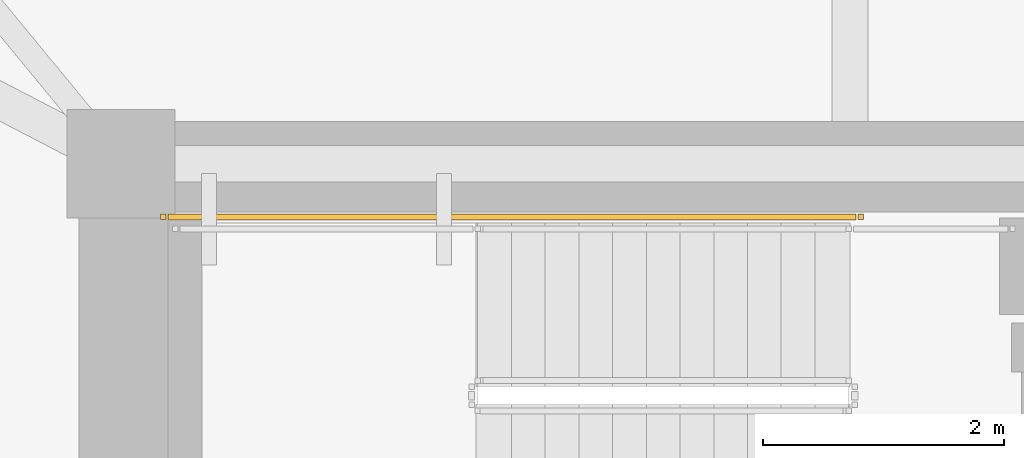
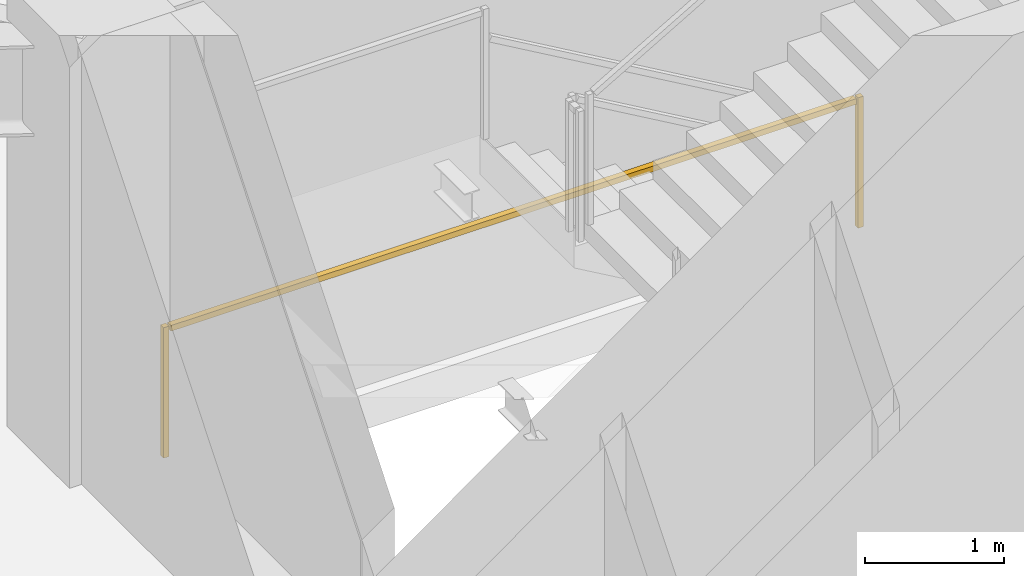
# One storey, part 13 of 16: 1 railing.
"""IFC4 building model written with IfcOpenShell, lengths in metres."""

from ifc_helpers import new_model, si_unit, direction, frame, origin, origin_2d, place, context, subcontext, project, spatial, rectangle, extrude, material, type_object, element, save


model = new_model("IFC4")

# Units and contexts
model_context = context("Model", 3, precision=1e-05, world=origin(), true_north=direction((0.0, 1.0)))
body_context = subcontext(model_context, "Body", "Model", "MODEL_VIEW")
ifc_project = project(units=[si_unit("LENGTHUNIT", "METRE"), si_unit("AREAUNIT", "SQUARE_METRE"), si_unit("VOLUMEUNIT", "CUBIC_METRE"), si_unit("PLANEANGLEUNIT", "RADIAN"), si_unit("MASSUNIT", "GRAM", prefix="KILO")], contexts=[model_context])

# Site, building, storey
site_placement = place(None, origin())
site = spatial("IfcSite", under=ifc_project, at=site_placement, CompositionType="ELEMENT")
building_placement = place(site_placement, origin())
building = spatial("IfcBuilding", under=site, at=building_placement, Name="Yunling Apex Tower", CompositionType="ELEMENT")
storey_placement = place(building_placement, frame((0.0, 0.0, 4.5)))
storey = spatial("IfcBuildingStorey", under=building, at=storey_placement, Name="L02", CompositionType="ELEMENT", Elevation=4.5)

# Railing
ifc_material = material(Name="Steel Q355B", Category="steel")
railing_type = type_object("IfcRailingType", Name="RL-GRD-1150", PredefinedType="GUARDRAIL", material=ifc_material)
railing_placement = place(storey_placement, frame((0.090087890625, 5.06005859375, 0.0)))
element("IfcRailing", 1, at=railing_placement, inside=storey, type_object=railing_type, Name="L02 ST-1 stair guard 7", PredefinedType="GUARDRAIL", context=body_context, shape_type="SweptSolid", body=[
    extrude(rectangle(XDim=0.0439453125, YDim=0.0439453125, at=origin_2d()), origin(), (0.0, 0.0, 1.0), 1.14990234375),
    extrude(rectangle(XDim=0.0439453125, YDim=0.0439453125, at=origin_2d()), frame((-5.7900390625, 0.0, 0.0)), (0.0, 0.0, 1.0), 1.14990234375),
    extrude(rectangle(XDim=0.050048828125, YDim=0.050048828125, at=origin_2d()), frame((-0.038330078125, 0.0, 1.125), z_axis=(-1.0, 0.0, 0.0), x_axis=(0.0, -1.0, 0.0)), (0.0, 0.0, 1.0), 5.71337890625),
])

save(model, "model.ifc")
